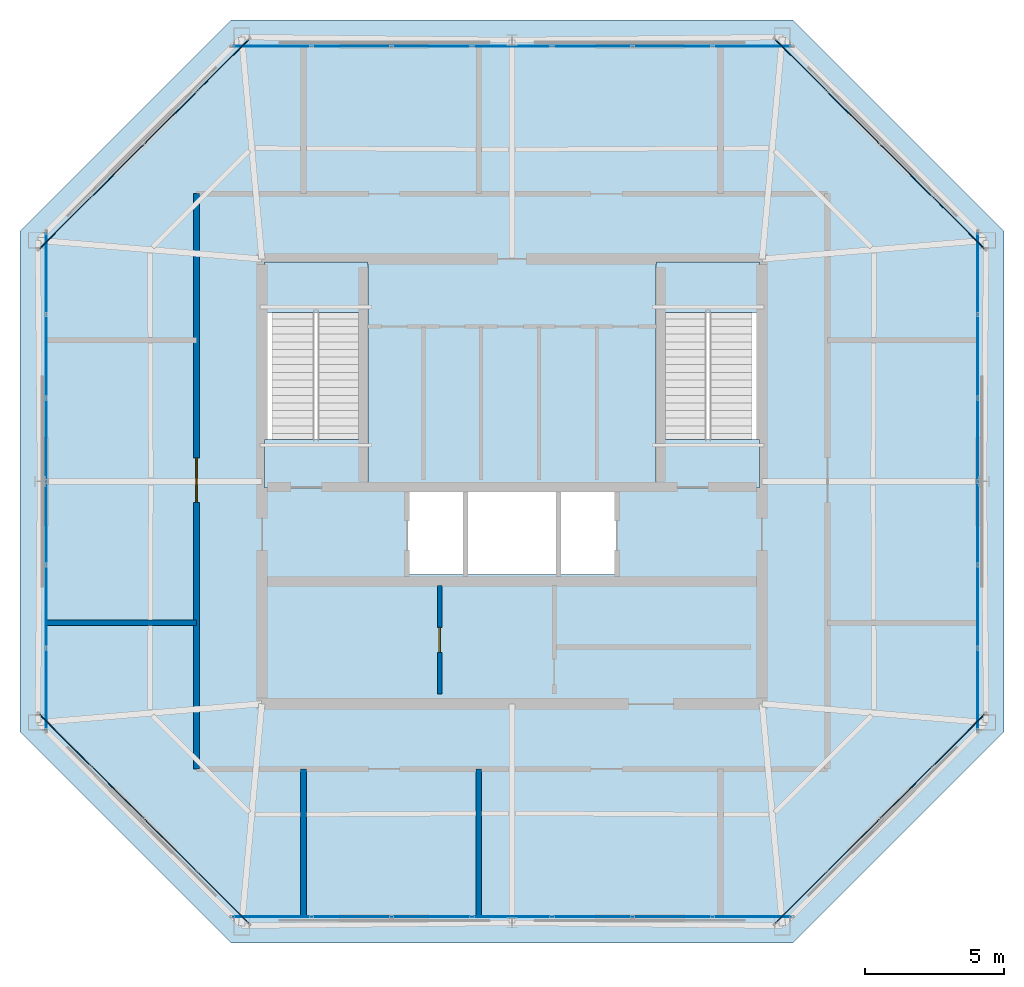
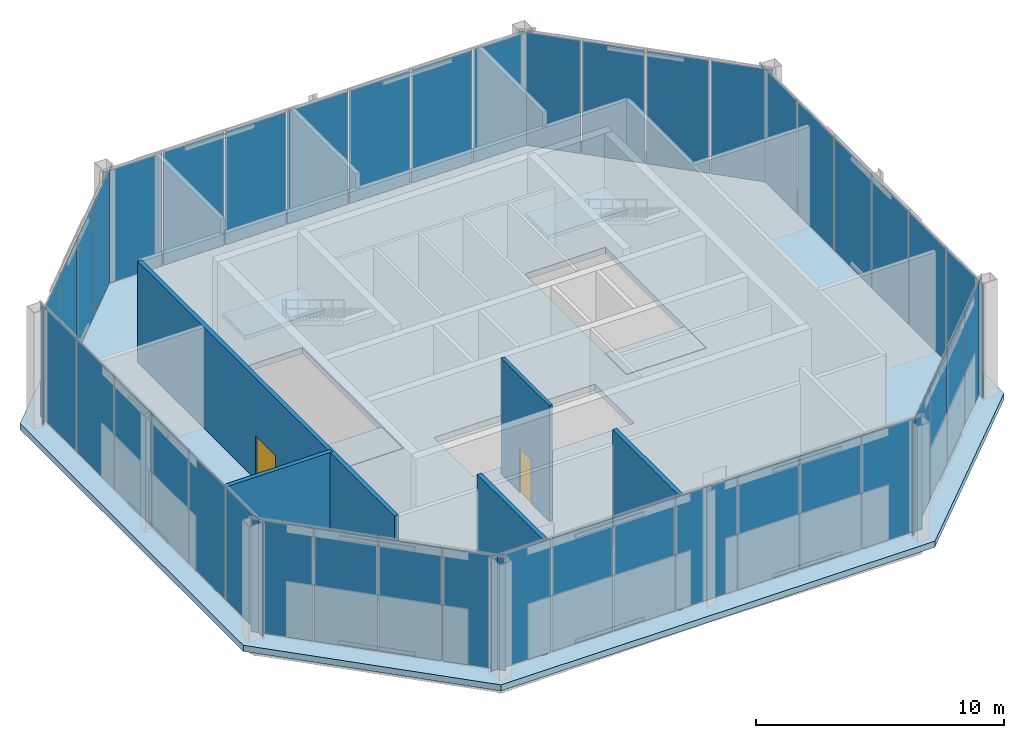
# One storey, part 17 of 20: 42 plates, 5 slabs, 5 walls, 2 doors, 2 openings, 10 elements without a shape of their own.
"""IFC4 building model written with IfcOpenShell, lengths in metres."""

from ifc_helpers import new_model, si_unit, direction, frame, frame_2d, origin, origin_2d, place, context, subcontext, project, spatial, polyline, rectangle, outline, extrude, material, layer, layer_set, type_object, element, fill, aggregate, save


model = new_model("IFC4")

# Units and contexts
model_context = context("Model", 3, precision=1e-05, world=origin(), true_north=direction((0.0, 1.0)))
body_context = subcontext(model_context, "Body", "Model", "MODEL_VIEW")
ifc_project = project(units=[si_unit("LENGTHUNIT", "METRE"), si_unit("AREAUNIT", "SQUARE_METRE"), si_unit("VOLUMEUNIT", "CUBIC_METRE"), si_unit("PLANEANGLEUNIT", "RADIAN"), si_unit("MASSUNIT", "GRAM", prefix="KILO")], contexts=[model_context])

# Site, building, storey
site_placement = place(None, origin())
site = spatial("IfcSite", under=ifc_project, at=site_placement, CompositionType="ELEMENT")
building_placement = place(site_placement, origin())
building = spatial("IfcBuilding", under=site, at=building_placement, Name="Caelvoria Tower", CompositionType="ELEMENT")
storey_placement = place(building_placement, frame((0.0, 0.0, 284.199951171875)))
storey = spatial("IfcBuildingStorey", under=building, at=storey_placement, Name="C1", CompositionType="ELEMENT", Elevation=284.199951171875)

# Slab
ifc_material_1 = material(Name="Concrete C40/50", Category="concrete")
ifc_layer_1 = layer(ifc_material_1, 0.300048828125, Name="Concrete C40/50")
ifc_layer_set_1 = layer_set([ifc_layer_1], Name="Crown Equipment Deck Slab 300 - Concrete C40/50")
slab_type_1 = type_object("IfcSlabType", Name="Crown Equipment Deck Slab 300", PredefinedType="FLOOR", material=ifc_layer_set_1)
slab_1_placement = place(storey_placement, frame((0.0, 0.0, -0.300048828125)))
element("IfcSlab", 1, at=slab_1_placement, inside=storey, type_object=slab_type_1, Name="Level C1 Structural Floor Slab", PredefinedType="FLOOR", context=body_context, shape_type="SweptSolid", body=[
    extrude(outline(polyline([(35.89990234375, 15.39990234375), (56.10009765625, 15.39990234375), (63.699951171875, 23.0), (63.699951171875, 41.0), (56.10009765625, 48.60009765625), (35.89990234375, 48.60009765625), (28.300048828125, 41.0), (28.300048828125, 23.0), (35.89990234375, 15.39990234375)]), holes=[polyline([(37.080078125, 31.75), (40.820068359375, 31.75), (40.820068359375, 39.919921875), (37.080078125, 39.919921875), (37.080078125, 31.75)]), polyline([(51.179931640625, 31.75), (54.919921875, 31.75), (54.919921875, 39.919921875), (51.179931640625, 39.919921875), (51.179931640625, 31.75)]), polyline([(42.25, 28.64990234375), (49.75, 28.64990234375), (49.75, 31.800048828125), (42.25, 31.800048828125), (42.25, 28.64990234375)])]), origin(), (0.0, 0.0, 1.0), 0.300048828125),
])

# Curtain wall, plates
ifc_material_2 = material(Name="Anodised Bronze Aluminium and Low-E Glass", Category="aluminium")
ifc_layer_2 = layer(ifc_material_2, 0.179931640625, Name="Anodised Bronze Aluminium and Low-E Glass")
ifc_layer_set_2 = layer_set([ifc_layer_2], Name="CW System 6 Slanted Crown Bronze Screen Facade - Anodised Bronze Aluminium and Low-E Glass")
curtain_wall_type = type_object("IfcCurtainWallType", Name="CW System 6 Slanted Crown Bronze Screen Facade", PredefinedType="NOTDEFINED", material=ifc_layer_set_2)
curtain_wall_1_placement = place(storey_placement, origin())
curtain_wall_1 = element("IfcCurtainWall", 2, at=curtain_wall_1_placement, inside=storey, type_object=curtain_wall_type, Name="CW-06 Curtain Wall C1-E0", PredefinedType="NOTDEFINED")
ifc_material_3 = material(Name="Tinted Low-E Insulated Glazing Unit", Category="glass")
ifc_layer_3 = layer(ifc_material_3, 0.028076171875, Name="Tinted Low-E Insulated Glazing Unit")
ifc_layer_set_3 = layer_set([ifc_layer_3], Name="Double-Glazed Solar-Control Vision Panel 28 - Tinted Low-E Insulated Glazing Unit")
plate_type = type_object("IfcPlateType", Name="Double-Glazed Solar-Control Vision Panel 28", PredefinedType="CURTAIN_PANEL", material=ifc_layer_set_3)
plate_1_placement = place(storey_placement, frame((37.359130859375, 16.340087890625, 0.06494140625), z_axis=(0.0, 0.0, 1.0), x_axis=(1.0, 0.0, 0.0)))
plate_1 = element("IfcPlate", 3, at=plate_1_placement, type_object=plate_type, Name="CW-06 panel 1.1", PredefinedType="CURTAIN_PANEL", context=body_context, shape_type="SweptSolid", body=[
    extrude(rectangle(XDim=2.788330078125, YDim=0.028076171875, at=origin_2d()), origin(), (0.0, 0.0, 1.0), 5.570068359375),
])
plate_2_placement = place(storey_placement, frame((40.228515625, 16.340087890625, 0.06494140625), z_axis=(0.0, 0.0, 1.0), x_axis=(1.0, 0.0, 0.0)))
plate_2 = element("IfcPlate", 4, at=plate_2_placement, type_object=plate_type, Name="CW-06 panel 2.1", PredefinedType="CURTAIN_PANEL", context=body_context, shape_type="SweptSolid", body=[
    extrude(rectangle(XDim=2.82080078125, YDim=0.028076171875, at=origin_2d()), origin(), (0.0, 0.0, 1.0), 5.570068359375),
])
plate_3_placement = place(storey_placement, frame((43.1142578125, 16.340087890625, 0.06494140625), z_axis=(0.0, 0.0, 1.0), x_axis=(1.0, 0.0, 0.0)))
plate_3 = element("IfcPlate", 5, at=plate_3_placement, type_object=plate_type, Name="CW-06 panel 3.1", PredefinedType="CURTAIN_PANEL", context=body_context, shape_type="SweptSolid", body=[
    extrude(rectangle(XDim=2.82080078125, YDim=0.028076171875, at=origin_2d()), origin(), (0.0, 0.0, 1.0), 5.570068359375),
])
plate_4_placement = place(storey_placement, frame((46.0, 16.340087890625, 0.06494140625), z_axis=(0.0, 0.0, 1.0), x_axis=(1.0, 0.0, 0.0)))
plate_4 = element("IfcPlate", 6, at=plate_4_placement, type_object=plate_type, Name="CW-06 panel 4.1", PredefinedType="CURTAIN_PANEL", context=body_context, shape_type="SweptSolid", body=[
    extrude(rectangle(XDim=2.82080078125, YDim=0.028076171875, at=origin_2d()), origin(), (0.0, 0.0, 1.0), 5.570068359375),
])
plate_5_placement = place(storey_placement, frame((48.8857421875, 16.340087890625, 0.06494140625), z_axis=(0.0, 0.0, 1.0), x_axis=(1.0, 0.0, 0.0)))
plate_5 = element("IfcPlate", 7, at=plate_5_placement, type_object=plate_type, Name="CW-06 panel 5.1", PredefinedType="CURTAIN_PANEL", context=body_context, shape_type="SweptSolid", body=[
    extrude(rectangle(XDim=2.82080078125, YDim=0.028076171875, at=origin_2d()), origin(), (0.0, 0.0, 1.0), 5.570068359375),
])
plate_6_placement = place(storey_placement, frame((51.771484375, 16.340087890625, 0.06494140625), z_axis=(0.0, 0.0, 1.0), x_axis=(1.0, 0.0, 0.0)))
plate_6 = element("IfcPlate", 8, at=plate_6_placement, type_object=plate_type, Name="CW-06 panel 6.1", PredefinedType="CURTAIN_PANEL", context=body_context, shape_type="SweptSolid", body=[
    extrude(rectangle(XDim=2.82080078125, YDim=0.028076171875, at=origin_2d()), origin(), (0.0, 0.0, 1.0), 5.570068359375),
])
plate_7_placement = place(storey_placement, frame((54.640869140625, 16.340087890625, 0.06494140625), z_axis=(0.0, 0.0, 1.0), x_axis=(1.0, 0.0, 0.0)))
plate_7 = element("IfcPlate", 9, at=plate_7_placement, type_object=plate_type, Name="CW-06 panel 7.1", PredefinedType="CURTAIN_PANEL", context=body_context, shape_type="SweptSolid", body=[
    extrude(rectangle(XDim=2.788330078125, YDim=0.028076171875, at=origin_2d()), origin(), (0.0, 0.0, 1.0), 5.570068359375),
])
aggregate(curtain_wall_1, [plate_1, plate_2, plate_3, plate_4, plate_5, plate_6, plate_7])

curtain_wall_2_placement = place(storey_placement, origin())
curtain_wall_2 = element("IfcCurtainWall", 10, at=curtain_wall_2_placement, inside=storey, type_object=curtain_wall_type, Name="CW-06 Curtain Wall C1-E1", PredefinedType="NOTDEFINED")
plate_8_placement = place(storey_placement, frame((56.396728515625, 17.026123046875, 0.06494140625), z_axis=(0.0, 0.0, 1.0), x_axis=(0.707106781187, 0.707106781187, 0.0)))
plate_8 = element("IfcPlate", 11, at=plate_8_placement, type_object=plate_type, Name="CW-06 panel 1.1", PredefinedType="CURTAIN_PANEL", context=body_context, shape_type="SweptSolid", body=[
    extrude(rectangle(XDim=2.589599609375, YDim=0.028076171875, at=origin_2d()), origin(), (0.0, 0.0, 1.0), 5.570068359375),
])
plate_9_placement = place(storey_placement, frame((58.285400390625, 18.914794921875, 0.06494140625), z_axis=(0.0, 0.0, 1.0), x_axis=(0.707106781187, 0.707106781187, 0.0)))
plate_9 = element("IfcPlate", 12, at=plate_9_placement, type_object=plate_type, Name="CW-06 panel 2.1", PredefinedType="CURTAIN_PANEL", context=body_context, shape_type="SweptSolid", body=[
    extrude(rectangle(XDim=2.6220703125, YDim=0.028076171875, at=origin_2d()), origin(), (0.0, 0.0, 1.0), 5.570068359375),
])
plate_10_placement = place(storey_placement, frame((60.185302734375, 20.814697265625, 0.06494140625), z_axis=(0.0, 0.0, 1.0), x_axis=(0.707106781187, 0.707106781187, 0.0)))
plate_10 = element("IfcPlate", 13, at=plate_10_placement, type_object=plate_type, Name="CW-06 panel 3.1", PredefinedType="CURTAIN_PANEL", context=body_context, shape_type="SweptSolid", body=[
    extrude(rectangle(XDim=2.6220703125, YDim=0.028076171875, at=origin_2d()), origin(), (0.0, 0.0, 1.0), 5.570068359375),
])
plate_11_placement = place(storey_placement, frame((62.07373046875, 22.703125, 0.06494140625), z_axis=(0.0, 0.0, 1.0), x_axis=(0.707106781187, 0.707106781187, 0.0)))
plate_11 = element("IfcPlate", 14, at=plate_11_placement, type_object=plate_type, Name="CW-06 panel 4.1", PredefinedType="CURTAIN_PANEL", context=body_context, shape_type="SweptSolid", body=[
    extrude(rectangle(XDim=2.589599609375, YDim=0.028076171875, at=origin_2d()), origin(), (0.0, 0.0, 1.0), 5.570068359375),
])
aggregate(curtain_wall_2, [plate_8, plate_9, plate_10, plate_11])

curtain_wall_3_placement = place(storey_placement, origin())
curtain_wall_3 = element("IfcCurtainWall", 15, at=curtain_wall_3_placement, inside=storey, type_object=curtain_wall_type, Name="CW-06 Curtain Wall C1-E2", PredefinedType="NOTDEFINED")
plate_12_placement = place(storey_placement, frame((62.760009765625, 24.516357421875, 0.06494140625), z_axis=(0.0, 0.0, 1.0), x_axis=(0.0, 1.0, 0.0)))
plate_12 = element("IfcPlate", 16, at=plate_12_placement, type_object=plate_type, Name="CW-06 panel 1.1", PredefinedType="CURTAIN_PANEL", context=body_context, shape_type="SweptSolid", body=[
    extrude(rectangle(XDim=2.902587890625, YDim=0.028076171875, at=origin_2d()), origin(), (0.0, 0.0, 1.0), 5.570068359375),
])
plate_13_placement = place(storey_placement, frame((62.760009765625, 27.5, 0.06494140625), z_axis=(0.0, 0.0, 1.0), x_axis=(0.0, 1.0, 0.0)))
plate_13 = element("IfcPlate", 17, at=plate_13_placement, type_object=plate_type, Name="CW-06 panel 2.1", PredefinedType="CURTAIN_PANEL", context=body_context, shape_type="SweptSolid", body=[
    extrude(rectangle(XDim=2.93505859375, YDim=0.028076171875, at=origin_2d()), origin(), (0.0, 0.0, 1.0), 5.570068359375),
])
plate_14_placement = place(storey_placement, frame((62.760009765625, 30.5, 0.06494140625), z_axis=(0.0, 0.0, 1.0), x_axis=(0.0, 1.0, 0.0)))
plate_14 = element("IfcPlate", 18, at=plate_14_placement, type_object=plate_type, Name="CW-06 panel 3.1", PredefinedType="CURTAIN_PANEL", context=body_context, shape_type="SweptSolid", body=[
    extrude(rectangle(XDim=2.93505859375, YDim=0.028076171875, at=origin_2d()), origin(), (0.0, 0.0, 1.0), 5.570068359375),
])
plate_15_placement = place(storey_placement, frame((62.760009765625, 33.5, 0.06494140625), z_axis=(0.0, 0.0, 1.0), x_axis=(0.0, 1.0, 0.0)))
plate_15 = element("IfcPlate", 19, at=plate_15_placement, type_object=plate_type, Name="CW-06 panel 4.1", PredefinedType="CURTAIN_PANEL", context=body_context, shape_type="SweptSolid", body=[
    extrude(rectangle(XDim=2.93505859375, YDim=0.028076171875, at=origin_2d()), origin(), (0.0, 0.0, 1.0), 5.570068359375),
])
plate_16_placement = place(storey_placement, frame((62.760009765625, 36.5, 0.06494140625), z_axis=(0.0, 0.0, 1.0), x_axis=(0.0, 1.0, 0.0)))
plate_16 = element("IfcPlate", 20, at=plate_16_placement, type_object=plate_type, Name="CW-06 panel 5.1", PredefinedType="CURTAIN_PANEL", context=body_context, shape_type="SweptSolid", body=[
    extrude(rectangle(XDim=2.93505859375, YDim=0.028076171875, at=origin_2d()), origin(), (0.0, 0.0, 1.0), 5.570068359375),
])
plate_17_placement = place(storey_placement, frame((62.760009765625, 39.483642578125, 0.06494140625), z_axis=(0.0, 0.0, 1.0), x_axis=(0.0, 1.0, 0.0)))
plate_17 = element("IfcPlate", 21, at=plate_17_placement, type_object=plate_type, Name="CW-06 panel 6.1", PredefinedType="CURTAIN_PANEL", context=body_context, shape_type="SweptSolid", body=[
    extrude(rectangle(XDim=2.902587890625, YDim=0.028076171875, at=origin_2d()), origin(), (0.0, 0.0, 1.0), 5.570068359375),
])
aggregate(curtain_wall_3, [plate_12, plate_13, plate_14, plate_15, plate_16, plate_17])

curtain_wall_4_placement = place(storey_placement, origin())
curtain_wall_4 = element("IfcCurtainWall", 22, at=curtain_wall_4_placement, inside=storey, type_object=curtain_wall_type, Name="CW-06 Curtain Wall C1-E3", PredefinedType="NOTDEFINED")
plate_18_placement = place(storey_placement, frame((62.07373046875, 41.296875, 0.06494140625), z_axis=(0.0, 0.0, 1.0), x_axis=(-0.707106781187, 0.707106781187, 0.0)))
plate_18 = element("IfcPlate", 23, at=plate_18_placement, type_object=plate_type, Name="CW-06 panel 1.1", PredefinedType="CURTAIN_PANEL", context=body_context, shape_type="SweptSolid", body=[
    extrude(rectangle(XDim=2.589599609375, YDim=0.028076171875, at=origin_2d()), origin(), (0.0, 0.0, 1.0), 5.570068359375),
])
plate_19_placement = place(storey_placement, frame((60.185302734375, 43.185302734375, 0.06494140625), z_axis=(0.0, 0.0, 1.0), x_axis=(-0.707106781187, 0.707106781187, 0.0)))
plate_19 = element("IfcPlate", 24, at=plate_19_placement, type_object=plate_type, Name="CW-06 panel 2.1", PredefinedType="CURTAIN_PANEL", context=body_context, shape_type="SweptSolid", body=[
    extrude(rectangle(XDim=2.6220703125, YDim=0.028076171875, at=origin_2d()), origin(), (0.0, 0.0, 1.0), 5.570068359375),
])
plate_20_placement = place(storey_placement, frame((58.285400390625, 45.085205078125, 0.06494140625), z_axis=(0.0, 0.0, 1.0), x_axis=(-0.707106781187, 0.707106781187, 0.0)))
plate_20 = element("IfcPlate", 25, at=plate_20_placement, type_object=plate_type, Name="CW-06 panel 3.1", PredefinedType="CURTAIN_PANEL", context=body_context, shape_type="SweptSolid", body=[
    extrude(rectangle(XDim=2.6220703125, YDim=0.028076171875, at=origin_2d()), origin(), (0.0, 0.0, 1.0), 5.570068359375),
])
plate_21_placement = place(storey_placement, frame((56.396728515625, 46.973876953125, 0.06494140625), z_axis=(0.0, 0.0, 1.0), x_axis=(-0.707106781187, 0.707106781187, 0.0)))
plate_21 = element("IfcPlate", 26, at=plate_21_placement, type_object=plate_type, Name="CW-06 panel 4.1", PredefinedType="CURTAIN_PANEL", context=body_context, shape_type="SweptSolid", body=[
    extrude(rectangle(XDim=2.589599609375, YDim=0.028076171875, at=origin_2d()), origin(), (0.0, 0.0, 1.0), 5.570068359375),
])
aggregate(curtain_wall_4, [plate_18, plate_19, plate_20, plate_21])

curtain_wall_5_placement = place(storey_placement, origin())
curtain_wall_5 = element("IfcCurtainWall", 27, at=curtain_wall_5_placement, inside=storey, type_object=curtain_wall_type, Name="CW-06 Curtain Wall C1-E4", PredefinedType="NOTDEFINED")
plate_22_placement = place(storey_placement, frame((54.640869140625, 47.659912109375, 0.06494140625), z_axis=(0.0, 0.0, 1.0), x_axis=(-1.0, 0.0, 0.0)))
plate_22 = element("IfcPlate", 28, at=plate_22_placement, type_object=plate_type, Name="CW-06 panel 1.1", PredefinedType="CURTAIN_PANEL", context=body_context, shape_type="SweptSolid", body=[
    extrude(rectangle(XDim=2.788330078125, YDim=0.028076171875, at=origin_2d()), origin(), (0.0, 0.0, 1.0), 5.570068359375),
])
plate_23_placement = place(storey_placement, frame((51.771484375, 47.659912109375, 0.06494140625), z_axis=(0.0, 0.0, 1.0), x_axis=(-1.0, 0.0, 0.0)))
plate_23 = element("IfcPlate", 29, at=plate_23_placement, type_object=plate_type, Name="CW-06 panel 2.1", PredefinedType="CURTAIN_PANEL", context=body_context, shape_type="SweptSolid", body=[
    extrude(rectangle(XDim=2.82080078125, YDim=0.028076171875, at=origin_2d()), origin(), (0.0, 0.0, 1.0), 5.570068359375),
])
plate_24_placement = place(storey_placement, frame((48.8857421875, 47.659912109375, 0.06494140625), z_axis=(0.0, 0.0, 1.0), x_axis=(-1.0, 0.0, 0.0)))
plate_24 = element("IfcPlate", 30, at=plate_24_placement, type_object=plate_type, Name="CW-06 panel 3.1", PredefinedType="CURTAIN_PANEL", context=body_context, shape_type="SweptSolid", body=[
    extrude(rectangle(XDim=2.82080078125, YDim=0.028076171875, at=origin_2d()), origin(), (0.0, 0.0, 1.0), 5.570068359375),
])
plate_25_placement = place(storey_placement, frame((46.0, 47.659912109375, 0.06494140625), z_axis=(0.0, 0.0, 1.0), x_axis=(-1.0, 0.0, 0.0)))
plate_25 = element("IfcPlate", 31, at=plate_25_placement, type_object=plate_type, Name="CW-06 panel 4.1", PredefinedType="CURTAIN_PANEL", context=body_context, shape_type="SweptSolid", body=[
    extrude(rectangle(XDim=2.82080078125, YDim=0.028076171875, at=origin_2d()), origin(), (0.0, 0.0, 1.0), 5.570068359375),
])
plate_26_placement = place(storey_placement, frame((43.1142578125, 47.659912109375, 0.06494140625), z_axis=(0.0, 0.0, 1.0), x_axis=(-1.0, 0.0, 0.0)))
plate_26 = element("IfcPlate", 32, at=plate_26_placement, type_object=plate_type, Name="CW-06 panel 5.1", PredefinedType="CURTAIN_PANEL", context=body_context, shape_type="SweptSolid", body=[
    extrude(rectangle(XDim=2.82080078125, YDim=0.028076171875, at=origin_2d()), origin(), (0.0, 0.0, 1.0), 5.570068359375),
])
plate_27_placement = place(storey_placement, frame((40.228515625, 47.659912109375, 0.06494140625), z_axis=(0.0, 0.0, 1.0), x_axis=(-1.0, 0.0, 0.0)))
plate_27 = element("IfcPlate", 33, at=plate_27_placement, type_object=plate_type, Name="CW-06 panel 6.1", PredefinedType="CURTAIN_PANEL", context=body_context, shape_type="SweptSolid", body=[
    extrude(rectangle(XDim=2.82080078125, YDim=0.028076171875, at=origin_2d()), origin(), (0.0, 0.0, 1.0), 5.570068359375),
])
plate_28_placement = place(storey_placement, frame((37.359130859375, 47.659912109375, 0.06494140625), z_axis=(0.0, 0.0, 1.0), x_axis=(-1.0, 0.0, 0.0)))
plate_28 = element("IfcPlate", 34, at=plate_28_placement, type_object=plate_type, Name="CW-06 panel 7.1", PredefinedType="CURTAIN_PANEL", context=body_context, shape_type="SweptSolid", body=[
    extrude(rectangle(XDim=2.788330078125, YDim=0.028076171875, at=origin_2d()), origin(), (0.0, 0.0, 1.0), 5.570068359375),
])
aggregate(curtain_wall_5, [plate_22, plate_23, plate_24, plate_25, plate_26, plate_27, plate_28])

curtain_wall_6_placement = place(storey_placement, origin())
curtain_wall_6 = element("IfcCurtainWall", 35, at=curtain_wall_6_placement, inside=storey, type_object=curtain_wall_type, Name="CW-06 Curtain Wall C1-E5", PredefinedType="NOTDEFINED")
plate_29_placement = place(storey_placement, frame((35.603271484375, 46.973876953125, 0.06494140625), z_axis=(0.0, 0.0, 1.0), x_axis=(-0.707106781187, -0.707106781187, 0.0)))
plate_29 = element("IfcPlate", 36, at=plate_29_placement, type_object=plate_type, Name="CW-06 panel 1.1", PredefinedType="CURTAIN_PANEL", context=body_context, shape_type="SweptSolid", body=[
    extrude(rectangle(XDim=2.589599609375, YDim=0.028076171875, at=origin_2d()), origin(), (0.0, 0.0, 1.0), 5.570068359375),
])
plate_30_placement = place(storey_placement, frame((33.714599609375, 45.085205078125, 0.06494140625), z_axis=(0.0, 0.0, 1.0), x_axis=(-0.707106781187, -0.707106781187, 0.0)))
plate_30 = element("IfcPlate", 37, at=plate_30_placement, type_object=plate_type, Name="CW-06 panel 2.1", PredefinedType="CURTAIN_PANEL", context=body_context, shape_type="SweptSolid", body=[
    extrude(rectangle(XDim=2.6220703125, YDim=0.028076171875, at=origin_2d()), origin(), (0.0, 0.0, 1.0), 5.570068359375),
])
plate_31_placement = place(storey_placement, frame((31.814697265625, 43.185302734375, 0.06494140625), z_axis=(0.0, 0.0, 1.0), x_axis=(-0.707106781187, -0.707106781187, 0.0)))
plate_31 = element("IfcPlate", 38, at=plate_31_placement, type_object=plate_type, Name="CW-06 panel 3.1", PredefinedType="CURTAIN_PANEL", context=body_context, shape_type="SweptSolid", body=[
    extrude(rectangle(XDim=2.6220703125, YDim=0.028076171875, at=origin_2d()), origin(), (0.0, 0.0, 1.0), 5.570068359375),
])
plate_32_placement = place(storey_placement, frame((29.92626953125, 41.296875, 0.06494140625), z_axis=(0.0, 0.0, 1.0), x_axis=(-0.707106781187, -0.707106781187, 0.0)))
plate_32 = element("IfcPlate", 39, at=plate_32_placement, type_object=plate_type, Name="CW-06 panel 4.1", PredefinedType="CURTAIN_PANEL", context=body_context, shape_type="SweptSolid", body=[
    extrude(rectangle(XDim=2.589599609375, YDim=0.028076171875, at=origin_2d()), origin(), (0.0, 0.0, 1.0), 5.570068359375),
])
aggregate(curtain_wall_6, [plate_29, plate_30, plate_31, plate_32])

curtain_wall_7_placement = place(storey_placement, origin())
curtain_wall_7 = element("IfcCurtainWall", 40, at=curtain_wall_7_placement, inside=storey, type_object=curtain_wall_type, Name="CW-06 Curtain Wall C1-E6", PredefinedType="NOTDEFINED")
plate_33_placement = place(storey_placement, frame((29.239990234375, 39.483642578125, 0.06494140625), z_axis=(0.0, 0.0, 1.0), x_axis=(0.0, -1.0, 0.0)))
plate_33 = element("IfcPlate", 41, at=plate_33_placement, type_object=plate_type, Name="CW-06 panel 1.1", PredefinedType="CURTAIN_PANEL", context=body_context, shape_type="SweptSolid", body=[
    extrude(rectangle(XDim=2.902587890625, YDim=0.028076171875, at=origin_2d()), origin(), (0.0, 0.0, 1.0), 5.570068359375),
])
plate_34_placement = place(storey_placement, frame((29.239990234375, 36.5, 0.06494140625), z_axis=(0.0, 0.0, 1.0), x_axis=(0.0, -1.0, 0.0)))
plate_34 = element("IfcPlate", 42, at=plate_34_placement, type_object=plate_type, Name="CW-06 panel 2.1", PredefinedType="CURTAIN_PANEL", context=body_context, shape_type="SweptSolid", body=[
    extrude(rectangle(XDim=2.93505859375, YDim=0.028076171875, at=origin_2d()), origin(), (0.0, 0.0, 1.0), 5.570068359375),
])
plate_35_placement = place(storey_placement, frame((29.239990234375, 33.5, 0.06494140625), z_axis=(0.0, 0.0, 1.0), x_axis=(0.0, -1.0, 0.0)))
plate_35 = element("IfcPlate", 43, at=plate_35_placement, type_object=plate_type, Name="CW-06 panel 3.1", PredefinedType="CURTAIN_PANEL", context=body_context, shape_type="SweptSolid", body=[
    extrude(rectangle(XDim=2.93505859375, YDim=0.028076171875, at=origin_2d()), origin(), (0.0, 0.0, 1.0), 5.570068359375),
])
plate_36_placement = place(storey_placement, frame((29.239990234375, 30.5, 0.06494140625), z_axis=(0.0, 0.0, 1.0), x_axis=(0.0, -1.0, 0.0)))
plate_36 = element("IfcPlate", 44, at=plate_36_placement, type_object=plate_type, Name="CW-06 panel 4.1", PredefinedType="CURTAIN_PANEL", context=body_context, shape_type="SweptSolid", body=[
    extrude(rectangle(XDim=2.93505859375, YDim=0.028076171875, at=origin_2d()), origin(), (0.0, 0.0, 1.0), 5.570068359375),
])
plate_37_placement = place(storey_placement, frame((29.239990234375, 27.5, 0.06494140625), z_axis=(0.0, 0.0, 1.0), x_axis=(0.0, -1.0, 0.0)))
plate_37 = element("IfcPlate", 45, at=plate_37_placement, type_object=plate_type, Name="CW-06 panel 5.1", PredefinedType="CURTAIN_PANEL", context=body_context, shape_type="SweptSolid", body=[
    extrude(rectangle(XDim=2.93505859375, YDim=0.028076171875, at=origin_2d()), origin(), (0.0, 0.0, 1.0), 5.570068359375),
])
plate_38_placement = place(storey_placement, frame((29.239990234375, 24.516357421875, 0.06494140625), z_axis=(0.0, 0.0, 1.0), x_axis=(0.0, -1.0, 0.0)))
plate_38 = element("IfcPlate", 46, at=plate_38_placement, type_object=plate_type, Name="CW-06 panel 6.1", PredefinedType="CURTAIN_PANEL", context=body_context, shape_type="SweptSolid", body=[
    extrude(rectangle(XDim=2.902587890625, YDim=0.028076171875, at=origin_2d()), origin(), (0.0, 0.0, 1.0), 5.570068359375),
])
aggregate(curtain_wall_7, [plate_33, plate_34, plate_35, plate_36, plate_37, plate_38])

curtain_wall_8_placement = place(storey_placement, origin())
curtain_wall_8 = element("IfcCurtainWall", 47, at=curtain_wall_8_placement, inside=storey, type_object=curtain_wall_type, Name="CW-06 Curtain Wall C1-E7", PredefinedType="NOTDEFINED")
plate_39_placement = place(storey_placement, frame((29.92626953125, 22.703125, 0.06494140625), z_axis=(0.0, 0.0, 1.0), x_axis=(0.707106781187, -0.707106781187, 0.0)))
plate_39 = element("IfcPlate", 48, at=plate_39_placement, type_object=plate_type, Name="CW-06 panel 1.1", PredefinedType="CURTAIN_PANEL", context=body_context, shape_type="SweptSolid", body=[
    extrude(rectangle(XDim=2.589599609375, YDim=0.028076171875, at=origin_2d()), origin(), (0.0, 0.0, 1.0), 5.570068359375),
])
plate_40_placement = place(storey_placement, frame((31.814697265625, 20.814697265625, 0.06494140625), z_axis=(0.0, 0.0, 1.0), x_axis=(0.707106781187, -0.707106781187, 0.0)))
plate_40 = element("IfcPlate", 49, at=plate_40_placement, type_object=plate_type, Name="CW-06 panel 2.1", PredefinedType="CURTAIN_PANEL", context=body_context, shape_type="SweptSolid", body=[
    extrude(rectangle(XDim=2.6220703125, YDim=0.028076171875, at=origin_2d()), origin(), (0.0, 0.0, 1.0), 5.570068359375),
])
plate_41_placement = place(storey_placement, frame((33.714599609375, 18.914794921875, 0.06494140625), z_axis=(0.0, 0.0, 1.0), x_axis=(0.707106781187, -0.707106781187, 0.0)))
plate_41 = element("IfcPlate", 50, at=plate_41_placement, type_object=plate_type, Name="CW-06 panel 3.1", PredefinedType="CURTAIN_PANEL", context=body_context, shape_type="SweptSolid", body=[
    extrude(rectangle(XDim=2.6220703125, YDim=0.028076171875, at=origin_2d()), origin(), (0.0, 0.0, 1.0), 5.570068359375),
])
plate_42_placement = place(storey_placement, frame((35.603271484375, 17.026123046875, 0.06494140625), z_axis=(0.0, 0.0, 1.0), x_axis=(0.707106781187, -0.707106781187, 0.0)))
plate_42 = element("IfcPlate", 51, at=plate_42_placement, type_object=plate_type, Name="CW-06 panel 4.1", PredefinedType="CURTAIN_PANEL", context=body_context, shape_type="SweptSolid", body=[
    extrude(rectangle(XDim=2.589599609375, YDim=0.028076171875, at=origin_2d()), origin(), (0.0, 0.0, 1.0), 5.570068359375),
])
aggregate(curtain_wall_8, [plate_39, plate_40, plate_41, plate_42])

# Stair, slabs
stair_type = type_object("IfcStairType", Name="Core Smokeproof Dogleg Stair Concrete C40/50", PredefinedType="HALF_TURN_STAIR", material=ifc_material_1)
stair_1_placement = place(storey_placement, origin())
stair_1 = element("IfcStair", 52, at=stair_1_placement, inside=storey, type_object=stair_type, Name="ST-01 Smokeproof Exit Stair C1", PredefinedType="HALF_TURN_STAIR")
ifc_layer_4 = layer(ifc_material_1, 0.199951171875, Name="Concrete C40/50")
ifc_layer_set_4 = layer_set([ifc_layer_4], Name="Stair Half and Floor Landing Slab 200 Concrete C40/50 - Concrete C40/50")
slab_type_2 = type_object("IfcSlabType", Name="Stair Half and Floor Landing Slab 200 Concrete C40/50", PredefinedType="LANDING", material=ifc_layer_set_4)
slab_2_placement = place(storey_placement, frame((0.0, 0.0, -0.199951171875)))
slab_2 = element("IfcSlab", 53, at=slab_2_placement, type_object=slab_type_2, Name="ST-01 landing 1", PredefinedType="LANDING", context=body_context, shape_type="SweptSolid", body=[
    extrude(outline(polyline([(37.10009765625, 31.77001953125), (40.800048828125, 31.77001953125), (40.800048828125, 33.5), (37.10009765625, 33.5), (37.10009765625, 31.77001953125)])), origin(), (0.0, 0.0, 1.0), 0.199951171875),
])
slab_3_placement = place(storey_placement, frame((0.0, 0.0, 2.800048828125)))
slab_3 = element("IfcSlab", 54, at=slab_3_placement, type_object=slab_type_2, Name="ST-01 landing 2", PredefinedType="LANDING", context=body_context, shape_type="SweptSolid", body=[
    extrude(outline(polyline([(37.10009765625, 38.074951171875), (40.800048828125, 38.074951171875), (40.800048828125, 39.89990234375), (37.10009765625, 39.89990234375), (37.10009765625, 38.074951171875)])), origin(), (0.0, 0.0, 1.0), 0.199951171875),
])
aggregate(stair_1, [slab_2, slab_3])

stair_2_placement = place(storey_placement, origin())
stair_2 = element("IfcStair", 55, at=stair_2_placement, inside=storey, type_object=stair_type, Name="ST-02 Smokeproof Exit Stair C1", PredefinedType="HALF_TURN_STAIR")
slab_4_placement = place(storey_placement, frame((0.0, 0.0, -0.199951171875)))
slab_4 = element("IfcSlab", 56, at=slab_4_placement, type_object=slab_type_2, Name="ST-02 landing 1", PredefinedType="LANDING", context=body_context, shape_type="SweptSolid", body=[
    extrude(outline(polyline([(51.199951171875, 31.77001953125), (54.89990234375, 31.77001953125), (54.89990234375, 33.5), (51.199951171875, 33.5), (51.199951171875, 31.77001953125)])), origin(), (0.0, 0.0, 1.0), 0.199951171875),
])
slab_5_placement = place(storey_placement, frame((0.0, 0.0, 2.800048828125)))
slab_5 = element("IfcSlab", 57, at=slab_5_placement, type_object=slab_type_2, Name="ST-02 landing 2", PredefinedType="LANDING", context=body_context, shape_type="SweptSolid", body=[
    extrude(outline(polyline([(51.199951171875, 38.074951171875), (54.89990234375, 38.074951171875), (54.89990234375, 39.89990234375), (51.199951171875, 39.89990234375), (51.199951171875, 38.074951171875)])), origin(), (0.0, 0.0, 1.0), 0.199951171875),
])
aggregate(stair_2, [slab_4, slab_5])

# Wall, opening, door
ifc_material_4 = material(Name="Double Gypsum Board on Steel Stud", Category="steel")
ifc_layer_5 = layer(ifc_material_4, 0.14990234375, Name="Double Gypsum Board on Steel Stud")
ifc_layer_set_5 = layer_set([ifc_layer_5], Name="Core Service Acoustic Partition Wall 150 - Double Gypsum Board on Steel Stud")
wall_type_1 = type_object("IfcWallType", Name="Core Service Acoustic Partition Wall 150", PredefinedType="PARTITIONING", material=ifc_layer_set_5)
wall_1_placement = place(storey_placement, frame((43.39990234375, 24.35009765625, 0.0), z_axis=(0.0, 0.0, 1.0), x_axis=(0.0, 1.0, 0.0)))
wall_1 = element("IfcWall", 58, at=wall_1_placement, inside=storey, type_object=wall_type_1, Name="Interior Partition IW-C1-RECL-MID", PredefinedType="PARTITIONING", context=body_context, shape_type="SweptSolid", body=[
    extrude(rectangle(XDim=3.89990234375, YDim=0.14990234375, at=frame_2d((1.949951171875, 0.0))), origin(), (0.0, 0.0, 1.0), 5.699951171875),
])
opening_1_placement = place(wall_1_placement, frame((1.5, 0.0, 0.0)))
opening_1 = element("IfcOpeningElement", 59, at=opening_1_placement, cuts=wall_1, Name="Opening ID-06", PredefinedType="OPENING", context=body_context, shape_type="SweptSolid", body=[
    extrude(rectangle(XDim=0.89990234375, YDim=2.14990234375, at=frame_2d((0.449951171875, 1.074951171875))), frame((0.0, 0.0849609375, 0.0), z_axis=(0.0, -1.0, 0.0), x_axis=(1.0, 0.0, 0.0)), (0.0, 0.0, 1.0), 0.169921875),
])
ifc_material_5 = material(Name="Engineered Andean Oak Veneer Door", Category="wood")
door_type_1 = type_object("IfcDoorType", Name="Interior Timber Door 900x2150", OperationType="NOTDEFINED", PredefinedType="DOOR", material=ifc_material_5)
door_1_placement = place(opening_1_placement, origin())
door_1 = element("IfcDoor", 60, at=door_1_placement, inside=storey, type_object=door_type_1, Name="Interior Door DR-C1-RECL12", OperationType="SINGLE_SWING_LEFT", OverallHeight=2.14990234375, OverallWidth=0.89990234375, PredefinedType="DOOR", context=body_context, shape_type="SweptSolid", body=[
    extrude(rectangle(XDim=0.89990234375, YDim=2.14990234375, at=frame_2d((0.449951171875, 1.074951171875))), frame((0.0, 0.02490234375, 0.0), z_axis=(0.0, -1.0, 0.0), x_axis=(1.0, 0.0, 0.0)), (0.0, 0.0, 1.0), 0.050048828125),
])
fill(opening_1, door_1)

# Walls
ifc_material_6 = material(Name="Concrete Block and Fireboard Assembly", Category="concrete")
ifc_layer_6 = layer(ifc_material_6, 0.199951171875, Name="Concrete Block and Fireboard Assembly")
ifc_layer_set_6 = layer_set([ifc_layer_6], Name="Fire-Rated Shaft and Core Partition Wall 200 - Concrete Block and Fireboard Assembly")
wall_type_2 = type_object("IfcWallType", Name="Fire-Rated Shaft and Core Partition Wall 200", PredefinedType="PARTITIONING", material=ifc_layer_set_6)
for number, where, z_axis, x_axis, name in (
    (61, (44.800048828125, 16.340087890625, 0.0), (0.0, 0.0, 1.0), (0.0, 1.0, 0.0), "Interior Partition IW-C1-PLT-SM"),
    (62, (38.5, 16.340087890625, 0.0), (0.0, 0.0, 1.0), (0.0, 1.0, 0.0), "Interior Partition IW-C1-OCH-SWS"),
):
    element("IfcWall", number, at=place(storey_placement, frame(where, z_axis=z_axis, x_axis=x_axis)), inside=storey, type_object=wall_type_2, Name=name, PredefinedType="PARTITIONING", context=body_context, shape_type="SweptSolid", body=[
        extrude(rectangle(XDim=5.309814453125, YDim=0.199951171875, at=frame_2d((2.65478515625, 0.0))), origin(), (0.0, 0.0, 1.0), 5.699951171875),
    ])

# Wall, opening, door
wall_2_placement = place(storey_placement, frame((34.64990234375, 21.64990234375, 0.0), z_axis=(0.0, 0.0, 1.0), x_axis=(0.0, 1.0, 0.0)))
wall_2 = element("IfcWall", 63, at=wall_2_placement, inside=storey, type_object=wall_type_2, Name="Interior Partition IW-C1-CRW", PredefinedType="PARTITIONING", context=body_context, shape_type="SweptSolid", body=[
    extrude(rectangle(XDim=20.7001953125, YDim=0.199951171875, at=frame_2d((10.35009765625, 0.0))), origin(), (0.0, 0.0, 1.0), 4.97998046875),
])
opening_2_placement = place(wall_2_placement, frame((9.60009765625, 0.0, 0.0)))
opening_2 = element("IfcOpeningElement", 64, at=opening_2_placement, cuts=wall_2, Name="Opening ID-08", PredefinedType="OPENING", context=body_context, shape_type="SweptSolid", body=[
    extrude(rectangle(XDim=1.60009765625, YDim=2.14990234375, at=frame_2d((0.800048828125, 1.074951171875))), frame((0.0, 0.10986328125, 0.0), z_axis=(0.0, -1.0, 0.0), x_axis=(1.0, 0.0, 0.0)), (0.0, 0.0, 1.0), 0.219970703125),
])
ifc_material_7 = material(Name="Bronze-Framed Fire-Rated Glazed Double Door", Category="aluminium")
door_type_2 = type_object("IfcDoorType", Name="Double Lobby Glazed Door 1600x2200", OperationType="NOTDEFINED", PredefinedType="DOOR", material=ifc_material_7)
door_2_placement = place(opening_2_placement, origin())
door_2 = element("IfcDoor", 65, at=door_2_placement, inside=storey, type_object=door_type_2, Name="Interior Door DR-C1-REFW", OperationType="DOUBLE_DOOR_SINGLE_SWING", OverallHeight=2.14990234375, OverallWidth=1.60009765625, PredefinedType="DOOR", context=body_context, shape_type="SweptSolid", body=[
    extrude(rectangle(XDim=1.60009765625, YDim=2.14990234375, at=frame_2d((0.800048828125, 1.074951171875))), frame((0.0, 0.02490234375, 0.0), z_axis=(0.0, -1.0, 0.0), x_axis=(1.0, 0.0, 0.0)), (0.0, 0.0, 1.0), 0.050048828125),
])
fill(opening_2, door_2)

# Wall
wall_3_placement = place(storey_placement, frame((29.239990234375, 26.919921875, 0.0), z_axis=(0.0, 0.0, 1.0), x_axis=(1.0, 0.0, 0.0)))
element("IfcWall", 66, at=wall_3_placement, inside=storey, type_object=wall_type_2, Name="Interior Partition IW-C1-RSEP-WS", PredefinedType="PARTITIONING", context=body_context, shape_type="SweptSolid", body=[
    extrude(rectangle(XDim=5.409912109375, YDim=0.199951171875, at=frame_2d((2.705078125, 0.0))), origin(), (0.0, 0.0, 1.0), 4.97998046875),
])

save(model, "model.ifc")
